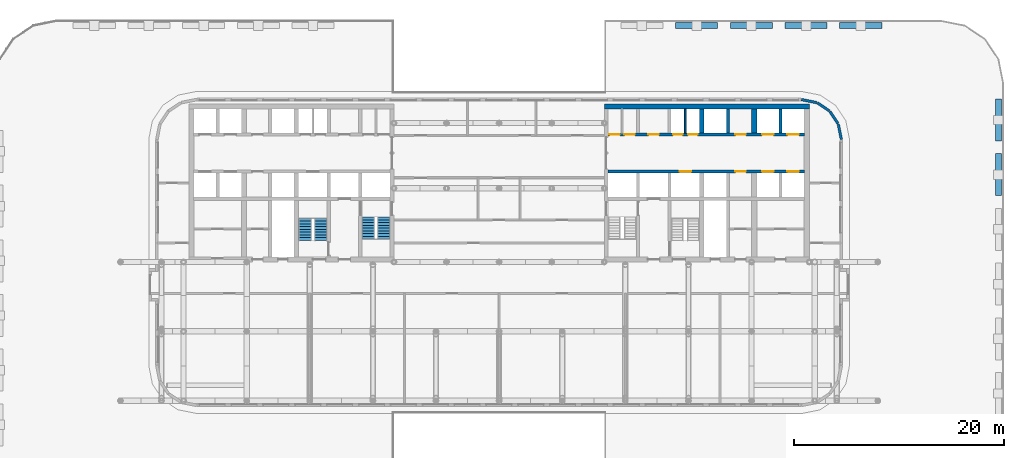
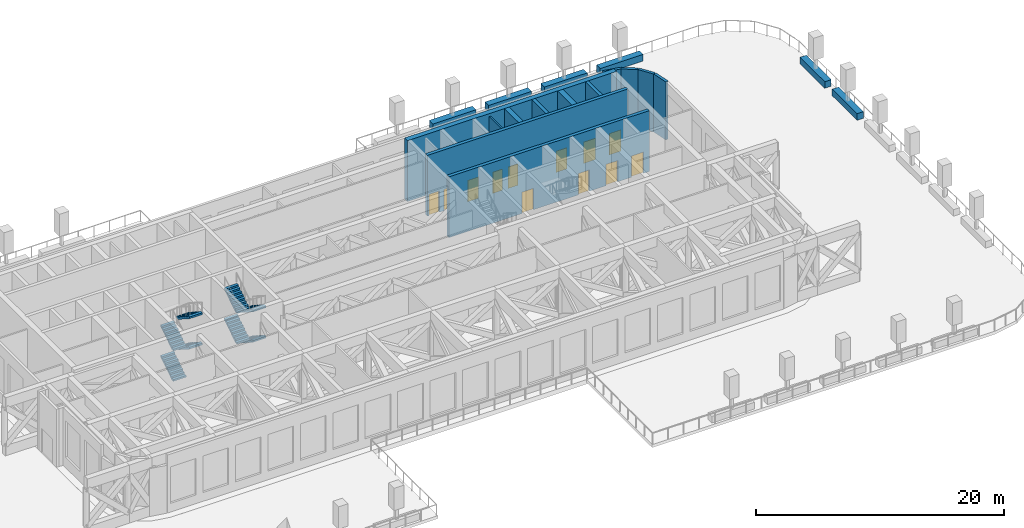
# One storey, part 15 of 20: 18 walls, 12 doors, 8 stair flights, 12 openings, 2 elements without a shape of their own.
"""IFC4 building model written with IfcOpenShell, lengths in metres."""

import ifcopenshell
import ifcopenshell.guid

model = None  # the IFC model being written
_history = None  # IfcOwnerHistory: only IFC2X3 demands one
_inside = {}  # id of a spatial element -> (the spatial element, [elements in it])
_under = {}  # id of a project, library or spatial element -> (it, [spatial elements below it])
_declared = {}  # id of a project -> (the project, [libraries it declares])
_typed = {}  # id of a type object -> (the type object, [elements of that type])
_made_of = {}  # id of a material, layer set ... -> (it, [elements and type objects made of it])


def new_model(schema):
    """Start an empty IFC model of exactly this schema.

    Asked for "IFC4X3", IfcOpenShell would pick the latest addendum, in which some entities
    have other attributes; the version numbers below select the first issue.
    IFC2X3 requires an IfcOwnerHistory on every rooted entity: one is made here for all.
    """
    global model, _history
    if schema == "IFC4X3":
        model = ifcopenshell.file(schema_version=(4, 3, 0, 0))
    else:
        model = ifcopenshell.file(schema=schema)
    _inside.clear()
    _under.clear()
    _declared.clear()
    _typed.clear()
    _made_of.clear()
    _history = None
    if model.schema == "IFC2X3":
        org = make("IfcOrganization", Name="unknown")
        user = make(
            "IfcPersonAndOrganization",
            ThePerson=make("IfcPerson", FamilyName="unknown"),
            TheOrganization=org,
        )
        app = make(
            "IfcApplication",
            ApplicationDeveloper=org,
            Version="unknown",
            ApplicationFullName="unknown",
            ApplicationIdentifier="unknown",
        )
        _history = make(
            "IfcOwnerHistory",
            OwningUser=user,
            OwningApplication=app,
            ChangeAction="ADDED",
            CreationDate=0,
        )
    return model


def make(cls, **values):
    """One entity of the class cls with the attributes given. An attribute that is None is left unset."""
    return model.create_entity(
        cls, **{name: value for name, value in values.items() if value is not None}
    )


def rooted(cls, **values):
    """An entity with a GlobalId (a new one), such as an element, a storey or a relation."""
    return make(cls, GlobalId=ifcopenshell.guid.new(), OwnerHistory=_history, **values)


def si_unit(unit_type, name, prefix=None):
    """IfcSIUnit, for example si_unit("LENGTHUNIT", "METRE", prefix="MILLI")."""
    return make("IfcSIUnit", UnitType=unit_type, Prefix=prefix, Name=name)


def assignment(units):
    """IfcUnitAssignment: the units of a project."""
    return None if units is None else make("IfcUnitAssignment", Units=units)


def point(xyz):
    """IfcCartesianPoint."""
    return None if xyz is None else make("IfcCartesianPoint", Coordinates=xyz)


def direction(xyz):
    """IfcDirection."""
    return None if xyz is None else make("IfcDirection", DirectionRatios=xyz)


def frame(location, z_axis=None, x_axis=None):
    """IfcAxis2Placement3D, a coordinate frame: its origin and axes. An axis left out is left unset."""
    return make(
        "IfcAxis2Placement3D",
        Location=point(location),
        Axis=direction(z_axis),
        RefDirection=direction(x_axis),
    )


def frame_2d(location, x_axis=None):
    """IfcAxis2Placement2D, a coordinate frame in the plane: its origin and x axis."""
    return make(
        "IfcAxis2Placement2D", Location=point(location), RefDirection=direction(x_axis)
    )


def origin():
    """The frame at (0, 0, 0) with its axes left unset."""
    return frame((0.0, 0.0, 0.0))


def place(relative_to, where):
    """IfcLocalPlacement: puts the frame where relative to a parent placement (None: the world)."""
    return make(
        "IfcLocalPlacement", PlacementRelTo=relative_to, RelativePlacement=where
    )


def context(
    kind, dimensions, precision=None, world=None, true_north=None, identifier=None
):
    """IfcGeometricRepresentationContext, for example the 3D "Model" context."""
    return make(
        "IfcGeometricRepresentationContext",
        ContextIdentifier=identifier,
        ContextType=kind,
        CoordinateSpaceDimension=dimensions,
        Precision=precision,
        WorldCoordinateSystem=world,
        TrueNorth=true_north,
    )


def subcontext(parent, identifier, kind, view, scale=None):
    """IfcGeometricRepresentationSubContext, for example "Body" below "Model"."""
    return make(
        "IfcGeometricRepresentationSubContext",
        ContextIdentifier=identifier,
        ContextType=kind,
        ParentContext=parent,
        TargetScale=scale,
        TargetView=view,
    )


def project(units=None, contexts=None):
    """IfcProject with its units and contexts."""
    return rooted(
        "IfcProject",
        Name="project",
        RepresentationContexts=contexts,
        UnitsInContext=assignment(units),
    )


def spatial(cls, under=None, at=None, **own):
    """A site, building, storey or space (cls), placed at a placement, below another one or the project."""
    s = rooted(cls, ObjectPlacement=at, **own)
    if under is not None:
        _under.setdefault(under.id(), (under, []))[1].append(s)
    return s


def polyline(points):
    """IfcPolyline through the points."""
    return make("IfcPolyline", Points=[point(p) for p in points])


def profile(cls, at=None, kind="AREA", **sizes):
    """A parametric profile (cls). Its sizes go by their IFC names, for example OverallWidth=200.0."""
    return make(cls, ProfileType=kind, Position=at, **sizes)


def rectangle(**sizes):
    """IfcRectangleProfileDef."""
    return profile("IfcRectangleProfileDef", **sizes)


def outline(outer, holes=None, kind="AREA"):
    """IfcArbitraryClosedProfileDef: a profile drawn as a closed curve; with holes, ...WithVoids."""
    if holes is None:
        return make("IfcArbitraryClosedProfileDef", ProfileType=kind, OuterCurve=outer)
    return make(
        "IfcArbitraryProfileDefWithVoids",
        ProfileType=kind,
        OuterCurve=outer,
        InnerCurves=holes,
    )


def extrude(swept, where, along, depth):
    """IfcExtrudedAreaSolid: the profile swept, set in the frame where, extruded along a direction by depth."""
    return make(
        "IfcExtrudedAreaSolid",
        SweptArea=swept,
        Position=where,
        ExtrudedDirection=direction(along),
        Depth=depth,
    )


def shape(context_of_items, identifier, shape_type, items):
    """IfcShapeRepresentation: the items that make up one representation, for example the "Body"."""
    return make(
        "IfcShapeRepresentation",
        ContextOfItems=context_of_items,
        RepresentationIdentifier=identifier,
        RepresentationType=shape_type,
        Items=items,
    )


def material(Name=None, Category=None):
    """IfcMaterial."""
    return make("IfcMaterial", Name=Name, Category=Category)


def layer(
    of_material, thickness, ventilated=None, Name=None, Category=None, Priority=None
):
    """IfcMaterialLayer: one layer of a wall or slab, of a material (None: an air gap)."""
    return make(
        "IfcMaterialLayer",
        Material=of_material,
        LayerThickness=thickness,
        IsVentilated=ventilated,
        Name=Name,
        Category=Category,
        Priority=Priority,
    )


def layer_set(layers, Name=None):
    """IfcMaterialLayerSet."""
    return make("IfcMaterialLayerSet", MaterialLayers=layers, LayerSetName=Name)


def made_of(thing, what):
    """Note that an element or type object is made of a material, layer set ...; save() writes the relation."""
    if what is not None:
        _made_of.setdefault(what.id(), (what, []))[1].append(thing)
    return thing


def type_object(cls, material=None, **own):
    """A type object (cls), such as IfcWallType, which elements share."""
    return made_of(rooted(cls, **own), material)


def element(
    cls,
    number,
    at=None,
    inside=None,
    cuts=None,
    type_object=None,
    material=None,
    context=None,
    identifier="Body",
    shape_type=None,
    held_by="IfcProductDefinitionShape",
    body=None,
    shapes=None,
    **own,
):
    """One element of the class cls, such as IfcWall. Its Tag is "e" and its number.

    at: its placement. inside: the storey or other place that contains it. cuts: it is an
    opening in that element (IfcRelVoidsElement). A single representation is given by context,
    identifier, shape_type and body (its items); several are given by shapes. held_by: the class
    of the entity that holds the representations. save() writes the other relations.
    """
    e = rooted(cls, Tag="e%d" % number, ObjectPlacement=at, **own)
    if body is not None:
        shapes = [shape(context, identifier, shape_type, body)]
    if shapes is not None:
        e.Representation = make(held_by, Representations=shapes)
    if inside is not None:
        _inside.setdefault(inside.id(), (inside, []))[1].append(e)
    if cuts is not None:
        rooted(
            "IfcRelVoidsElement", RelatingBuildingElement=cuts, RelatedOpeningElement=e
        )
    if type_object is not None:
        _typed.setdefault(type_object.id(), (type_object, []))[1].append(e)
    return made_of(e, material)


def fill(opening, filler):
    """IfcRelFillsElement: the door or window that sits in an opening."""
    return rooted(
        "IfcRelFillsElement",
        RelatingOpeningElement=opening,
        RelatedBuildingElement=filler,
    )


def aggregate(whole, parts):
    """IfcRelAggregates: a whole, such as a stair, and the parts it consists of."""
    return rooted("IfcRelAggregates", RelatingObject=whole, RelatedObjects=parts)


def save(model, path):
    """Write the relations noted so far, then the file.

    IfcRelAggregates (storeys below a building ...), IfcRelContainedInSpatialStructure (elements
    in a storey), IfcRelDefinesByType, IfcRelAssociatesMaterial and IfcRelDeclares: one each for
    every whole, place, type object, material and project.
    """
    for whole, parts in _under.values():
        aggregate(whole, parts)
    for where, things in _inside.values():
        rooted(
            "IfcRelContainedInSpatialStructure",
            RelatedElements=things,
            RelatingStructure=where,
        )
    for kind, things in _typed.values():
        rooted("IfcRelDefinesByType", RelatedObjects=things, RelatingType=kind)
    for what, things in _made_of.values():
        rooted("IfcRelAssociatesMaterial", RelatedObjects=things, RelatingMaterial=what)
    for by, libraries in _declared.values():
        rooted("IfcRelDeclares", RelatingContext=by, RelatedDefinitions=libraries)
    model.write(path)


model = new_model("IFC4")

# Units and contexts
model_context = context("Model", 3, precision=1e-05, world=origin(), true_north=direction((0.0, 1.0)))
body_context = subcontext(model_context, "Body", "Model", "MODEL_VIEW")
ifc_project = project(units=[si_unit("LENGTHUNIT", "METRE"), si_unit("AREAUNIT", "SQUARE_METRE"), si_unit("VOLUMEUNIT", "CUBIC_METRE"), si_unit("PLANEANGLEUNIT", "RADIAN"), si_unit("MASSUNIT", "GRAM", prefix="KILO")], contexts=[model_context])

# Site, building, storey
site_placement = place(None, origin())
site = spatial("IfcSite", under=ifc_project, at=site_placement, CompositionType="ELEMENT")
building_placement = place(site_placement, origin())
building = spatial("IfcBuilding", under=site, at=building_placement, Name="Torana Hotel and Residences", CompositionType="ELEMENT")
storey_placement = place(building_placement, frame((0.0, 0.0, 18.0)))
storey = spatial("IfcBuildingStorey", under=building, at=storey_placement, Name="L03", CompositionType="ELEMENT", Elevation=18.0)

# Wall, openings, doors
ifc_material_1 = material(Name="Concrete C80/95", Category="concrete")
ifc_layer_1 = layer(ifc_material_1, 0.300048828125)
ifc_layer_set_1 = layer_set([ifc_layer_1], Name="CORE WALL 300 C80/95")
wall_type_1 = type_object("IfcWallType", Name="CORE WALL 300 C80/95", PredefinedType="SHEAR", material=ifc_layer_set_1)
wall_1_placement = place(storey_placement, frame((10.35009765625, -2.89990234375, 0.0), z_axis=(0.0, 0.0, 1.0), x_axis=(1.0, 0.0, 0.0)))
wall_1 = element("IfcWall", 1, at=wall_1_placement, inside=storey, type_object=wall_type_1, Name="Core wall E row-N", PredefinedType="SHEAR", context=body_context, shape_type="SweptSolid", body=[
    extrude(rectangle(XDim=18.699951171875, YDim=0.300048828125, at=frame_2d((9.35009765625, 0.0))), origin(), (0.0, 0.0, 1.0), 6.0),
])
opening_1_placement = place(wall_1_placement, frame((14.64990234375, 0.0, 0.0)))
opening_1 = element("IfcOpeningElement", 2, at=opening_1_placement, cuts=wall_1, Name="Opening LD", PredefinedType="OPENING", context=body_context, shape_type="SweptSolid", body=[
    extrude(rectangle(XDim=1.10009765625, YDim=2.10009765625, at=frame_2d((0.550048828125, 1.050048828125))), frame((0.0, 0.159912109375, 0.0), z_axis=(0.0, -1.0, 0.0), x_axis=(1.0, 0.0, 0.0)), (0.0, 0.0, 1.0), 0.320068359375),
])
opening_2_placement = place(wall_1_placement, frame((17.050048828125, 0.0, 0.0)))
opening_2 = element("IfcOpeningElement", 3, at=opening_2_placement, cuts=wall_1, Name="Opening LD", PredefinedType="OPENING", context=body_context, shape_type="SweptSolid", body=[
    extrude(rectangle(XDim=1.10009765625, YDim=2.10009765625, at=frame_2d((0.550048828125, 1.050048828125))), frame((0.0, 0.159912109375, 0.0), z_axis=(0.0, -1.0, 0.0), x_axis=(1.0, 0.0, 0.0)), (0.0, 0.0, 1.0), 0.320068359375),
])
opening_3_placement = place(wall_1_placement, frame((6.1875, 0.0, 0.0)))
opening_3 = element("IfcOpeningElement", 4, at=opening_3_placement, cuts=wall_1, Name="Opening L03-26", PredefinedType="OPENING", context=body_context, shape_type="SweptSolid", body=[
    extrude(rectangle(XDim=0.89990234375, YDim=2.10009765625, at=frame_2d((0.449951171875, 1.050048828125))), frame((0.0, 0.159912109375, 0.0), z_axis=(0.0, -1.0, 0.0), x_axis=(1.0, 0.0, 0.0)), (0.0, 0.0, 1.0), 0.320068359375),
])
opening_4_placement = place(wall_1_placement, frame((7.612548828125, 0.0, 0.0)))
opening_4 = element("IfcOpeningElement", 5, at=opening_4_placement, cuts=wall_1, Name="Opening L03-27", PredefinedType="OPENING", context=body_context, shape_type="SweptSolid", body=[
    extrude(rectangle(XDim=0.89990234375, YDim=2.10009765625, at=frame_2d((0.449951171875, 1.050048828125))), frame((0.0, 0.159912109375, 0.0), z_axis=(0.0, -1.0, 0.0), x_axis=(1.0, 0.0, 0.0)), (0.0, 0.0, 1.0), 0.320068359375),
])
opening_5_placement = place(wall_1_placement, frame((0.137451171875, 0.0, 0.0)))
opening_5 = element("IfcOpeningElement", 6, at=opening_5_placement, cuts=wall_1, Name="Opening L03-28", PredefinedType="OPENING", context=body_context, shape_type="SweptSolid", body=[
    extrude(rectangle(XDim=1.0, YDim=2.10009765625, at=frame_2d((0.5, 1.050048828125))), frame((0.0, 0.159912109375, 0.0), z_axis=(0.0, -1.0, 0.0), x_axis=(1.0, 0.0, 0.0)), (0.0, 0.0, 1.0), 0.320068359375),
])
opening_6_placement = place(wall_1_placement, frame((1.5625, 0.0, 0.0)))
opening_6 = element("IfcOpeningElement", 7, at=opening_6_placement, cuts=wall_1, Name="Opening L03-29", PredefinedType="OPENING", context=body_context, shape_type="SweptSolid", body=[
    extrude(rectangle(XDim=1.0, YDim=2.10009765625, at=frame_2d((0.5, 1.050048828125))), frame((0.0, 0.159912109375, 0.0), z_axis=(0.0, -1.0, 0.0), x_axis=(1.0, 0.0, 0.0)), (0.0, 0.0, 1.0), 0.320068359375),
])
opening_7_placement = place(wall_1_placement, frame((3.85009765625, 0.0, 0.0)))
opening_7 = element("IfcOpeningElement", 8, at=opening_7_placement, cuts=wall_1, Name="Opening L03-30", PredefinedType="OPENING", context=body_context, shape_type="SweptSolid", body=[
    extrude(rectangle(XDim=1.0, YDim=2.10009765625, at=frame_2d((0.5, 1.050048828125))), frame((0.0, 0.159912109375, 0.0), z_axis=(0.0, -1.0, 0.0), x_axis=(1.0, 0.0, 0.0)), (0.0, 0.0, 1.0), 0.320068359375),
])
opening_8_placement = place(wall_1_placement, frame((12.10009765625, 0.0, 0.0)))
opening_8 = element("IfcOpeningElement", 9, at=opening_8_placement, cuts=wall_1, Name="Opening L03-31", PredefinedType="OPENING", context=body_context, shape_type="SweptSolid", body=[
    extrude(rectangle(XDim=1.0, YDim=2.10009765625, at=frame_2d((0.5, 1.050048828125))), frame((0.0, 0.159912109375, 0.0), z_axis=(0.0, -1.0, 0.0), x_axis=(1.0, 0.0, 0.0)), (0.0, 0.0, 1.0), 0.320068359375),
])
ifc_material_2 = material(Name="Steel S235", Category="steel")
door_type_1 = type_object("IfcDoorType", Name="CORE ROOM FIRE DOOR D14 1000x2100", OperationType="SINGLE_SWING_LEFT", PredefinedType="DOOR", material=ifc_material_2)
door_1_placement = place(opening_5_placement, origin())
door_1 = element("IfcDoor", 10, at=door_1_placement, inside=storey, type_object=door_type_1, Name="N0A door L03", OperationType="SINGLE_SWING_RIGHT", OverallHeight=2.10009765625, OverallWidth=1.0, PredefinedType="DOOR", context=body_context, shape_type="SweptSolid", body=[
    extrude(rectangle(XDim=1.0, YDim=2.10009765625, at=frame_2d((0.5, 1.050048828125))), frame((0.0, 0.02490234375, 0.0), z_axis=(0.0, -1.0, 0.0), x_axis=(1.0, 0.0, 0.0)), (0.0, 0.0, 1.0), 0.050048828125),
])
fill(opening_5, door_1)
door_2_placement = place(opening_6_placement, origin())
door_2 = element("IfcDoor", 11, at=door_2_placement, inside=storey, type_object=door_type_1, Name="N0B door L03", OperationType="SINGLE_SWING_RIGHT", OverallHeight=2.10009765625, OverallWidth=1.0, PredefinedType="DOOR", context=body_context, shape_type="SweptSolid", body=[
    extrude(rectangle(XDim=1.0, YDim=2.10009765625, at=frame_2d((0.5, 1.050048828125))), frame((0.0, 0.02490234375, 0.0), z_axis=(0.0, -1.0, 0.0), x_axis=(1.0, 0.0, 0.0)), (0.0, 0.0, 1.0), 0.050048828125),
])
fill(opening_6, door_2)
door_3_placement = place(opening_7_placement, origin())
door_3 = element("IfcDoor", 12, at=door_3_placement, inside=storey, type_object=door_type_1, Name="N1 door L03", OperationType="SINGLE_SWING_RIGHT", OverallHeight=2.10009765625, OverallWidth=1.0, PredefinedType="DOOR", context=body_context, shape_type="SweptSolid", body=[
    extrude(rectangle(XDim=1.0, YDim=2.10009765625, at=frame_2d((0.5, 1.050048828125))), frame((0.0, 0.02490234375, 0.0), z_axis=(0.0, -1.0, 0.0), x_axis=(1.0, 0.0, 0.0)), (0.0, 0.0, 1.0), 0.050048828125),
])
fill(opening_7, door_3)
door_4_placement = place(opening_8_placement, origin())
door_4 = element("IfcDoor", 13, at=door_4_placement, inside=storey, type_object=door_type_1, Name="Free-M3 door L03", OperationType="SINGLE_SWING_RIGHT", OverallHeight=2.10009765625, OverallWidth=1.0, PredefinedType="DOOR", context=body_context, shape_type="SweptSolid", body=[
    extrude(rectangle(XDim=1.0, YDim=2.10009765625, at=frame_2d((0.5, 1.050048828125))), frame((0.0, 0.02490234375, 0.0), z_axis=(0.0, -1.0, 0.0), x_axis=(1.0, 0.0, 0.0)), (0.0, 0.0, 1.0), 0.050048828125),
])
fill(opening_8, door_4)
ifc_material_3 = material(Name="Stainless steel 316", Category="steel")
door_type_2 = type_object("IfcDoorType", Name="LIFT LANDING DOOR LD 1100x2100", OperationType="DOUBLE_DOOR_SLIDING", PredefinedType="USERDEFINED", material=ifc_material_3)
door_5_placement = place(opening_1_placement, origin())
door_5 = element("IfcDoor", 14, at=door_5_placement, inside=storey, type_object=door_type_2, Name="Lift landing door L5 L03", ObjectType="LIFT LANDING DOOR", OperationType="DOUBLE_DOOR_SLIDING", OverallHeight=2.10009765625, OverallWidth=1.10009765625, PredefinedType="USERDEFINED", context=body_context, shape_type="SweptSolid", body=[
    extrude(rectangle(XDim=1.10009765625, YDim=2.10009765625, at=frame_2d((0.550048828125, 1.050048828125))), frame((0.0, 0.02490234375, 0.0), z_axis=(0.0, -1.0, 0.0), x_axis=(1.0, 0.0, 0.0)), (0.0, 0.0, 1.0), 0.050048828125),
])
fill(opening_1, door_5)
door_6_placement = place(opening_2_placement, origin())
door_6 = element("IfcDoor", 15, at=door_6_placement, inside=storey, type_object=door_type_2, Name="Lift landing door L6 L03", ObjectType="LIFT LANDING DOOR", OperationType="DOUBLE_DOOR_SLIDING", OverallHeight=2.10009765625, OverallWidth=1.10009765625, PredefinedType="USERDEFINED", context=body_context, shape_type="SweptSolid", body=[
    extrude(rectangle(XDim=1.10009765625, YDim=2.10009765625, at=frame_2d((0.550048828125, 1.050048828125))), frame((0.0, 0.02490234375, 0.0), z_axis=(0.0, -1.0, 0.0), x_axis=(1.0, 0.0, 0.0)), (0.0, 0.0, 1.0), 0.050048828125),
])
fill(opening_2, door_6)
ifc_material_4 = material(Name="Steel S235", Category="steel")
door_type_3 = type_object("IfcDoorType", Name="RISER ACCESS DOOR D5 900x2100", OperationType="SINGLE_SWING_LEFT", PredefinedType="DOOR", material=ifc_material_4)
door_7_placement = place(opening_3_placement, origin())
door_7 = element("IfcDoor", 16, at=door_7_placement, inside=storey, type_object=door_type_3, Name="N2A door L03", OperationType="SINGLE_SWING_RIGHT", OverallHeight=2.10009765625, OverallWidth=0.89990234375, PredefinedType="DOOR", context=body_context, shape_type="SweptSolid", body=[
    extrude(rectangle(XDim=0.89990234375, YDim=2.10009765625, at=frame_2d((0.449951171875, 1.050048828125))), frame((0.0, 0.02490234375, 0.0), z_axis=(0.0, -1.0, 0.0), x_axis=(1.0, 0.0, 0.0)), (0.0, 0.0, 1.0), 0.050048828125),
])
fill(opening_3, door_7)
door_8_placement = place(opening_4_placement, origin())
door_8 = element("IfcDoor", 17, at=door_8_placement, inside=storey, type_object=door_type_3, Name="N2B door L03", OperationType="SINGLE_SWING_RIGHT", OverallHeight=2.10009765625, OverallWidth=0.89990234375, PredefinedType="DOOR", context=body_context, shape_type="SweptSolid", body=[
    extrude(rectangle(XDim=0.89990234375, YDim=2.10009765625, at=frame_2d((0.449951171875, 1.050048828125))), frame((0.0, 0.02490234375, 0.0), z_axis=(0.0, -1.0, 0.0), x_axis=(1.0, 0.0, 0.0)), (0.0, 0.0, 1.0), 0.050048828125),
])
fill(opening_4, door_8)

wall_2_placement = place(storey_placement, frame((10.35009765625, -6.39990234375, 0.0), z_axis=(0.0, 0.0, 1.0), x_axis=(1.0, 0.0, 0.0)))
wall_2 = element("IfcWall", 18, at=wall_2_placement, inside=storey, type_object=wall_type_1, Name="Core wall E row-S", PredefinedType="SHEAR", context=body_context, shape_type="SweptSolid", body=[
    extrude(rectangle(XDim=18.699951171875, YDim=0.300048828125, at=frame_2d((9.35009765625, 0.0))), origin(), (0.0, 0.0, 1.0), 6.0),
])
opening_9_placement = place(wall_2_placement, frame((14.64990234375, 0.0, 0.0)))
opening_9 = element("IfcOpeningElement", 19, at=opening_9_placement, cuts=wall_2, Name="Opening LD", PredefinedType="OPENING", context=body_context, shape_type="SweptSolid", body=[
    extrude(rectangle(XDim=1.10009765625, YDim=2.10009765625, at=frame_2d((0.550048828125, 1.050048828125))), frame((0.0, 0.159912109375, 0.0), z_axis=(0.0, -1.0, 0.0), x_axis=(1.0, 0.0, 0.0)), (0.0, 0.0, 1.0), 0.320068359375),
])
opening_10_placement = place(wall_2_placement, frame((17.050048828125, 0.0, 0.0)))
opening_10 = element("IfcOpeningElement", 20, at=opening_10_placement, cuts=wall_2, Name="Opening LD", PredefinedType="OPENING", context=body_context, shape_type="SweptSolid", body=[
    extrude(rectangle(XDim=1.10009765625, YDim=2.10009765625, at=frame_2d((0.550048828125, 1.050048828125))), frame((0.0, 0.159912109375, 0.0), z_axis=(0.0, -1.0, 0.0), x_axis=(1.0, 0.0, 0.0)), (0.0, 0.0, 1.0), 0.320068359375),
])
opening_11_placement = place(wall_2_placement, frame((6.800048828125, 0.0, 0.0)))
opening_11 = element("IfcOpeningElement", 21, at=opening_11_placement, cuts=wall_2, Name="Opening LD", PredefinedType="OPENING", context=body_context, shape_type="SweptSolid", body=[
    extrude(rectangle(XDim=1.10009765625, YDim=2.10009765625, at=frame_2d((0.550048828125, 1.050048828125))), frame((0.0, 0.159912109375, 0.0), z_axis=(0.0, -1.0, 0.0), x_axis=(1.0, 0.0, 0.0)), (0.0, 0.0, 1.0), 0.320068359375),
])
opening_12_placement = place(wall_2_placement, frame((12.10009765625, 0.0, 0.0)))
opening_12 = element("IfcOpeningElement", 22, at=opening_12_placement, cuts=wall_2, Name="Opening L03-32", PredefinedType="OPENING", context=body_context, shape_type="SweptSolid", body=[
    extrude(rectangle(XDim=1.0, YDim=2.10009765625, at=frame_2d((0.5, 1.050048828125))), frame((0.0, 0.159912109375, 0.0), z_axis=(0.0, -1.0, 0.0), x_axis=(1.0, 0.0, 0.0)), (0.0, 0.0, 1.0), 0.320068359375),
])
door_9_placement = place(opening_12_placement, frame((0.5, 0.0, 0.0), z_axis=(0.0, 0.0, 1.0), x_axis=(-1.0, 0.0, 0.0)))
door_9 = element("IfcDoor", 23, at=door_9_placement, inside=storey, type_object=door_type_1, Name="Free-M4 door L03", OperationType="SINGLE_SWING_LEFT", OverallHeight=2.10009765625, OverallWidth=1.0, PredefinedType="DOOR", context=body_context, shape_type="SweptSolid", body=[
    extrude(rectangle(XDim=1.0, YDim=2.10009765625, at=frame_2d((0.0, 1.050048828125))), frame((0.0, -0.02490234375, 0.0), z_axis=(0.0, 1.0, 0.0), x_axis=(-1.0, 0.0, 0.0)), (0.0, 0.0, 1.0), 0.050048828125),
])
fill(opening_12, door_9)
door_10_placement = place(opening_9_placement, origin())
door_10 = element("IfcDoor", 24, at=door_10_placement, inside=storey, type_object=door_type_2, Name="Lift landing door L7 L03", ObjectType="LIFT LANDING DOOR", OperationType="DOUBLE_DOOR_SLIDING", OverallHeight=2.10009765625, OverallWidth=1.10009765625, PredefinedType="USERDEFINED", context=body_context, shape_type="SweptSolid", body=[
    extrude(rectangle(XDim=1.10009765625, YDim=2.10009765625, at=frame_2d((0.550048828125, 1.050048828125))), frame((0.0, 0.02490234375, 0.0), z_axis=(0.0, -1.0, 0.0), x_axis=(1.0, 0.0, 0.0)), (0.0, 0.0, 1.0), 0.050048828125),
])
fill(opening_9, door_10)
door_11_placement = place(opening_10_placement, origin())
door_11 = element("IfcDoor", 25, at=door_11_placement, inside=storey, type_object=door_type_2, Name="Lift landing door L8 L03", ObjectType="LIFT LANDING DOOR", OperationType="DOUBLE_DOOR_SLIDING", OverallHeight=2.10009765625, OverallWidth=1.10009765625, PredefinedType="USERDEFINED", context=body_context, shape_type="SweptSolid", body=[
    extrude(rectangle(XDim=1.10009765625, YDim=2.10009765625, at=frame_2d((0.550048828125, 1.050048828125))), frame((0.0, 0.02490234375, 0.0), z_axis=(0.0, -1.0, 0.0), x_axis=(1.0, 0.0, 0.0)), (0.0, 0.0, 1.0), 0.050048828125),
])
fill(opening_10, door_11)
door_12_placement = place(opening_11_placement, origin())
door_12 = element("IfcDoor", 26, at=door_12_placement, inside=storey, type_object=door_type_2, Name="Lift landing door SV2 L03", ObjectType="LIFT LANDING DOOR", OperationType="DOUBLE_DOOR_SLIDING", OverallHeight=2.10009765625, OverallWidth=1.10009765625, PredefinedType="USERDEFINED", context=body_context, shape_type="SweptSolid", body=[
    extrude(rectangle(XDim=1.10009765625, YDim=2.10009765625, at=frame_2d((0.550048828125, 1.050048828125))), frame((0.0, 0.02490234375, 0.0), z_axis=(0.0, -1.0, 0.0), x_axis=(1.0, 0.0, 0.0)), (0.0, 0.0, 1.0), 0.050048828125),
])
fill(opening_11, door_12)

# Walls
for number, where, z_axis, x_axis, name in (
    (27, (21.75, -2.75, 0.0), (0.0, 0.0, 1.0), (0.0, 1.0, 0.0), "Core wall E mm-N"),
    (28, (26.75, -2.75, 0.0), (0.0, 0.0, 1.0), (0.0, 1.0, 0.0), "Core wall E ll-N"),
):
    element("IfcWall", number, at=place(storey_placement, frame(where, z_axis=z_axis, x_axis=x_axis)), inside=storey, type_object=wall_type_1, Name=name, PredefinedType="SHEAR", context=body_context, shape_type="SweptSolid", body=[
        extrude(rectangle(XDim=2.300048828125, YDim=0.300048828125, at=frame_2d((1.14990234375, 0.0))), origin(), (0.0, 0.0, 1.0), 6.0),
    ])
ifc_material_5 = material(Name="Concrete C80/95", Category="concrete")
ifc_layer_2 = layer(ifc_material_5, 0.449951171875)
ifc_layer_set_2 = layer_set([ifc_layer_2], Name="CORE WALL 450 C80/95")
wall_type_2 = type_object("IfcWallType", Name="CORE WALL 450 C80/95", PredefinedType="SHEAR", material=ifc_layer_set_2)
wall_3_placement = place(storey_placement, frame((10.0, -0.22509765625, 0.0), z_axis=(0.0, 0.0, 1.0), x_axis=(1.0, 0.0, 0.0)))
element("IfcWall", 29, at=wall_3_placement, inside=storey, type_object=wall_type_2, Name="Core wall E rear", PredefinedType="SHEAR", context=body_context, shape_type="SweptSolid", body=[
    extrude(rectangle(XDim=19.5, YDim=0.449951171875, at=frame_2d((9.75, 0.0))), origin(), (0.0, 0.0, 1.0), 6.0),
])
wall_4_placement = place(storey_placement, frame((19.27490234375, -2.75, 0.0), z_axis=(0.0, 0.0, 1.0), x_axis=(0.0, 1.0, 0.0)))
element("IfcWall", 30, at=wall_4_placement, inside=storey, type_object=wall_type_2, Name="Core wall E hm-N", PredefinedType="SHEAR", context=body_context, shape_type="SweptSolid", body=[
    extrude(rectangle(XDim=2.300048828125, YDim=0.449951171875, at=frame_2d((1.14990234375, 0.0))), origin(), (0.0, 0.0, 1.0), 6.0),
])
ifc_material_6 = material(Name="Concrete C80/95", Category="concrete")
ifc_layer_3 = layer(ifc_material_6, 0.5)
ifc_layer_set_3 = layer_set([ifc_layer_3], Name="CORE WALL 500 C80/95")
wall_type_3 = type_object("IfcWallType", Name="CORE WALL 500 C80/95", PredefinedType="SHEAR", material=ifc_layer_set_3)
wall_5_placement = place(storey_placement, frame((24.25, -2.75, 0.0), z_axis=(0.0, 0.0, 1.0), x_axis=(0.0, 1.0, 0.0)))
element("IfcWall", 31, at=wall_5_placement, inside=storey, type_object=wall_type_3, Name="Core wall E ml-N", PredefinedType="SHEAR", context=body_context, shape_type="SweptSolid", body=[
    extrude(rectangle(XDim=2.300048828125, YDim=0.5, at=frame_2d((1.14990234375, 0.0))), origin(), (0.0, 0.0, 1.0), 6.0),
])
ifc_material_7 = material(Name="Aluminium louvre wall", Category="aluminium")
ifc_layer_4 = layer(ifc_material_7, 0.25)
ifc_layer_set_4 = layer_set([ifc_layer_4], Name="EW3 LOUVRE WALL 250")
wall_type_4 = type_object("IfcWallType", Name="EW3 LOUVRE WALL 250", PredefinedType="SOLIDWALL", material=ifc_layer_set_4)
wall_6_placement = place(storey_placement, frame((32.53662109375, -3.36279296875, 0.0), z_axis=(0.0, 0.0, 1.0), x_axis=(-0.195014837095, 0.980800292268, 0.0)))
element("IfcWall", 32, at=wall_6_placement, inside=storey, type_object=wall_type_4, Name="Louvre wall L03 e0.0", PredefinedType="SOLIDWALL", context=body_context, shape_type="SweptSolid", body=[
    extrude(rectangle(XDim=1.4921875, YDim=0.25, at=frame_2d((0.74609375, 0.0))), origin(), (0.0, 0.0, 1.0), 5.719970703125),
])
for number, where, z_axis, x_axis, name in (
    (33, (32.226806640625, -1.85400390625, 0.0), (0.0, 0.0, 1.0), (-0.555543083115, 0.831487752648, 0.0), "Louvre wall L03 e0.1"),
    (34, (31.41259765625, -0.65283203125, 0.0), (0.0, 0.0, 1.0), (-0.831487752648, 0.555543083115, 0.0), "Louvre wall L03 e0.2"),
):
    element("IfcWall", number, at=place(storey_placement, frame(where, z_axis=z_axis, x_axis=x_axis)), inside=storey, type_object=wall_type_4, Name=name, PredefinedType="SOLIDWALL", context=body_context, shape_type="SweptSolid", body=[
        extrude(rectangle(XDim=1.4033203125, YDim=0.25, at=frame_2d((0.70166015625, 0.0))), origin(), (0.0, 0.0, 1.0), 5.719970703125),
    ])
wall_7_placement = place(storey_placement, frame((30.20068359375, 0.1455078125, 0.0), z_axis=(0.0, 0.0, 1.0), x_axis=(-0.980800292268, 0.195014837095, 0.0)))
element("IfcWall", 35, at=wall_7_placement, inside=storey, type_object=wall_type_4, Name="Louvre wall L03 e0.3", PredefinedType="SOLIDWALL", context=body_context, shape_type="SweptSolid", body=[
    extrude(rectangle(XDim=1.4921875, YDim=0.25, at=frame_2d((0.74609375, 0.0))), origin(), (0.0, 0.0, 1.0), 5.719970703125),
])
ifc_material_8 = material(Name="Gypsum plaster")
ifc_layer_5 = layer(ifc_material_8, 0.014892578125, Name="Plaster", Category="finish")
ifc_material_9 = material(Name="Concrete blockwork", Category="masonry")
ifc_layer_6 = layer(ifc_material_9, 0.1201171875, Name="Blockwork", Category="structure")
ifc_layer_7 = layer(ifc_material_8, 0.014892578125, Name="Plaster", Category="finish")
ifc_layer_set_5 = layer_set([ifc_layer_5, ifc_layer_6, ifc_layer_7], Name="FIRE PARTITION 150 BLOCKWORK")
wall_type_5 = type_object("IfcWallType", Name="FIRE PARTITION 150 BLOCKWORK", PredefinedType="PARTITIONING", material=ifc_layer_set_5)
wall_8_placement = place(storey_placement, frame((17.699951171875, -2.75, 0.0), z_axis=(0.0, 0.0, 1.0), x_axis=(0.0, 1.0, 0.0)))
element("IfcWall", 36, at=wall_8_placement, inside=storey, type_object=wall_type_5, Name="Core partition L03", PredefinedType="PARTITIONING", context=body_context, shape_type="SweptSolid", body=[
    extrude(rectangle(XDim=2.300048828125, YDim=0.14990234375, at=frame_2d((1.14990234375, 0.0))), origin(), (0.0, 0.0, 1.0), 5.699951171875),
])
ifc_material_10 = material(Name="Concrete C40/50 precast", Category="concrete")
ifc_layer_8 = layer(ifc_material_10, 0.10009765625, Name="Planter shell", Category="structure")
ifc_material_11 = material(Name="Root resistant membrane")
ifc_layer_9 = layer(ifc_material_11, 0.00390625, Name="Waterproofing membrane", Category="membrane")
ifc_material_12 = material(Name="Drainage board with filter fleece")
ifc_layer_10 = layer(ifc_material_12, 0.02001953125, Name="Drainage board", Category="drainage")
ifc_material_13 = material(Name="Growing medium")
ifc_layer_11 = layer(ifc_material_13, 0.47607421875, Name="Planting substrate", Category="soil")
ifc_layer_set_6 = layer_set([ifc_layer_8, ifc_layer_9, ifc_layer_10, ifc_layer_11], Name="PL1 BALCONY PLANTER 600")
wall_type_6 = type_object("IfcWallType", Name="PL1 BALCONY PLANTER 600", PredefinedType="USERDEFINED", material=ifc_layer_set_6)
for number, where, z_axis, x_axis, name in (
    (37, (16.780029296875, 7.469970703125, 0.0), (0.0, 0.0, 1.0), (1.0, 0.0, 0.0), "Planter L03 2.2"),
    (38, (21.97998046875, 7.469970703125, 0.0), (0.0, 0.0, 1.0), (1.0, 0.0, 0.0), "Planter L03 2.3"),
    (39, (27.179931640625, 7.469970703125, 0.0), (0.0, 0.0, 1.0), (1.0, 0.0, 0.0), "Planter L03 2.4"),
    (40, (32.3798828125, 7.469970703125, 0.0), (0.0, 0.0, 1.0), (1.0, 0.0, 0.0), "Planter L03 2.5"),
    (41, (47.469970703125, 0.4921875, 0.0), (0.0, 0.0, 1.0), (0.0, -1.0, 0.0), "Planter L03 2.6"),
    (42, (47.469970703125, -4.7080078125, 0.0), (0.0, 0.0, 1.0), (0.0, -1.0, 0.0), "Planter L03 2.7"),
):
    element("IfcWall", number, at=place(storey_placement, frame(where, z_axis=z_axis, x_axis=x_axis)), inside=storey, type_object=wall_type_6, Name=name, ObjectType="PLANTER", PredefinedType="USERDEFINED", context=body_context, shape_type="SweptSolid", body=[
        extrude(rectangle(XDim=4.0, YDim=0.60009765625, at=frame_2d((2.0, 0.0))), origin(), (0.0, 0.0, 1.0), 0.64990234375),
    ])

# Stair, stair flights
ifc_material_14 = material(Name="Concrete C40/50 precast", Category="concrete")
stair_type_1 = type_object("IfcStairType", Name="STAIR ST1 HALF TURN 1200", PredefinedType="HALF_TURN_STAIR", material=ifc_material_14)
stair_1_placement = place(storey_placement, origin())
stair_1 = element("IfcStair", 43, at=stair_1_placement, inside=storey, type_object=stair_type_1, Name="Stair ST1 L03", PredefinedType="HALF_TURN_STAIR")
ifc_material_15 = material(Name="Concrete C40/50 precast", Category="concrete")
stair_flight_type = type_object("IfcStairFlightType", Name="STAIR FLIGHT 1200 PRECAST", PredefinedType="STRAIGHT", material=ifc_material_15)
stair_flight_1_placement = place(storey_placement, frame((-10.949951171875, -10.75, 0.0), z_axis=(0.0, 0.0, 1.0), x_axis=(0.0, -1.0, 0.0)))
stair_flight_1 = element("IfcStairFlight", 44, at=stair_flight_1_placement, type_object=stair_flight_type, Name="ST1 flight 1", NumberOfRisers=9, NumberOfTreads=8, PredefinedType="STRAIGHT", RiserHeight=0.166666667, TreadLength=0.26, context=body_context, shape_type="SweptSolid", body=[
    extrude(outline(polyline([(0.0, 0.0), (0.0, 0.166748046875), (0.260009765625, 0.166748046875), (0.260009765625, 0.333251953125), (0.52001953125, 0.333251953125), (0.52001953125, 0.5), (0.780029296875, 0.5), (0.780029296875, 0.666748046875), (1.0400390625, 0.666748046875), (1.0400390625, 0.833251953125), (1.300048828125, 0.833251953125), (1.300048828125, 1.0), (1.56005859375, 1.0), (1.56005859375, 1.166748046875), (1.820068359375, 1.166748046875), (1.820068359375, 1.333251953125), (2.080078125, 1.333251953125), (2.080078125, 1.5), (2.080078125, 1.1552734375), (0.27783203125, 0.0), (0.0, 0.0)])), frame((0.0, 0.60009765625, 0.0), z_axis=(0.0, -1.0, 0.0), x_axis=(1.0, 0.0, 0.0)), (0.0, 0.0, 1.0), 1.199951171875),
])
stair_flight_2_placement = place(storey_placement, frame((-12.449951171875, -12.830078125, 1.5), z_axis=(0.0, 0.0, 1.0), x_axis=(0.0, 1.0, 0.0)))
stair_flight_2 = element("IfcStairFlight", 45, at=stair_flight_2_placement, type_object=stair_flight_type, Name="ST1 flight 2", NumberOfRisers=9, NumberOfTreads=8, PredefinedType="STRAIGHT", RiserHeight=0.166666667, TreadLength=0.26, context=body_context, shape_type="SweptSolid", body=[
    extrude(outline(polyline([(0.0, 0.0), (0.0, 0.166748046875), (0.260009765625, 0.166748046875), (0.260009765625, 0.333251953125), (0.52001953125, 0.333251953125), (0.52001953125, 0.5), (0.780029296875, 0.5), (0.780029296875, 0.666748046875), (1.0400390625, 0.666748046875), (1.0400390625, 0.833251953125), (1.300048828125, 0.833251953125), (1.300048828125, 1.0), (1.56005859375, 1.0), (1.56005859375, 1.166748046875), (1.820068359375, 1.166748046875), (1.820068359375, 1.333251953125), (2.080078125, 1.333251953125), (2.080078125, 1.5), (2.080078125, 1.1552734375), (0.27783203125, 0.0), (0.0, 0.0)])), frame((0.0, 0.60009765625, 0.0), z_axis=(0.0, -1.0, 0.0), x_axis=(1.0, 0.0, 0.0)), (0.0, 0.0, 1.0), 1.199951171875),
])
stair_flight_3_placement = place(storey_placement, frame((-10.949951171875, -10.75, 3.0), z_axis=(0.0, 0.0, 1.0), x_axis=(0.0, -1.0, 0.0)))
stair_flight_3 = element("IfcStairFlight", 46, at=stair_flight_3_placement, type_object=stair_flight_type, Name="ST1 flight 3", NumberOfRisers=9, NumberOfTreads=8, PredefinedType="STRAIGHT", RiserHeight=0.166666667, TreadLength=0.26, context=body_context, shape_type="SweptSolid", body=[
    extrude(outline(polyline([(0.0, 0.0), (0.0, 0.166748046875), (0.260009765625, 0.166748046875), (0.260009765625, 0.333251953125), (0.52001953125, 0.333251953125), (0.52001953125, 0.5), (0.780029296875, 0.5), (0.780029296875, 0.666748046875), (1.0400390625, 0.666748046875), (1.0400390625, 0.833251953125), (1.300048828125, 0.833251953125), (1.300048828125, 1.0), (1.56005859375, 1.0), (1.56005859375, 1.166748046875), (1.820068359375, 1.166748046875), (1.820068359375, 1.333251953125), (2.080078125, 1.333251953125), (2.080078125, 1.5), (2.080078125, 1.1552734375), (0.27783203125, 0.0), (0.0, 0.0)])), frame((0.0, 0.60009765625, 0.0), z_axis=(0.0, -1.0, 0.0), x_axis=(1.0, 0.0, 0.0)), (0.0, 0.0, 1.0), 1.199951171875),
])
stair_flight_4_placement = place(storey_placement, frame((-12.449951171875, -12.830078125, 4.5), z_axis=(0.0, 0.0, 1.0), x_axis=(0.0, 1.0, 0.0)))
stair_flight_4 = element("IfcStairFlight", 47, at=stair_flight_4_placement, type_object=stair_flight_type, Name="ST1 flight 4", NumberOfRisers=9, NumberOfTreads=8, PredefinedType="STRAIGHT", RiserHeight=0.166666667, TreadLength=0.26, context=body_context, shape_type="SweptSolid", body=[
    extrude(outline(polyline([(0.0, 0.0), (0.0, 0.166748046875), (0.260009765625, 0.166748046875), (0.260009765625, 0.333251953125), (0.52001953125, 0.333251953125), (0.52001953125, 0.5), (0.780029296875, 0.5), (0.780029296875, 0.666748046875), (1.0400390625, 0.666748046875), (1.0400390625, 0.833251953125), (1.300048828125, 0.833251953125), (1.300048828125, 1.0), (1.56005859375, 1.0), (1.56005859375, 1.166748046875), (1.820068359375, 1.166748046875), (1.820068359375, 1.333251953125), (2.080078125, 1.333251953125), (2.080078125, 1.5), (2.080078125, 1.1552734375), (0.27783203125, 0.0), (0.0, 0.0)])), frame((0.0, 0.60009765625, 0.0), z_axis=(0.0, -1.0, 0.0), x_axis=(1.0, 0.0, 0.0)), (0.0, 0.0, 1.0), 1.199951171875),
])
aggregate(stair_1, [stair_flight_1, stair_flight_2, stair_flight_3, stair_flight_4])

ifc_material_16 = material(Name="Concrete C40/50 precast", Category="concrete")
stair_type_2 = type_object("IfcStairType", Name="STAIR ST2 HALF TURN 1200", PredefinedType="HALF_TURN_STAIR", material=ifc_material_16)
stair_2_placement = place(storey_placement, origin())
stair_2 = element("IfcStair", 48, at=stair_2_placement, inside=storey, type_object=stair_type_2, Name="Stair ST2 L03", PredefinedType="HALF_TURN_STAIR")
stair_flight_5_placement = place(storey_placement, frame((-18.449951171875, -12.949951171875, 0.0), z_axis=(0.0, 0.0, 1.0), x_axis=(0.0, 1.0, 0.0)))
stair_flight_5 = element("IfcStairFlight", 49, at=stair_flight_5_placement, type_object=stair_flight_type, Name="ST2 flight 1", NumberOfRisers=9, NumberOfTreads=8, PredefinedType="STRAIGHT", RiserHeight=0.166666667, TreadLength=0.26, context=body_context, shape_type="SweptSolid", body=[
    extrude(outline(polyline([(0.0, 0.0), (0.0, 0.166748046875), (0.260009765625, 0.166748046875), (0.260009765625, 0.333251953125), (0.52001953125, 0.333251953125), (0.52001953125, 0.5), (0.780029296875, 0.5), (0.780029296875, 0.666748046875), (1.0400390625, 0.666748046875), (1.0400390625, 0.833251953125), (1.300048828125, 0.833251953125), (1.300048828125, 1.0), (1.56005859375, 1.0), (1.56005859375, 1.166748046875), (1.820068359375, 1.166748046875), (1.820068359375, 1.333251953125), (2.080078125, 1.333251953125), (2.080078125, 1.5), (2.080078125, 1.1552734375), (0.27783203125, 0.0), (0.0, 0.0)])), frame((0.0, 0.60009765625, 0.0), z_axis=(0.0, -1.0, 0.0), x_axis=(1.0, 0.0, 0.0)), (0.0, 0.0, 1.0), 1.199951171875),
])
stair_flight_6_placement = place(storey_placement, frame((-16.949951171875, -10.8701171875, 1.5), z_axis=(0.0, 0.0, 1.0), x_axis=(0.0, -1.0, 0.0)))
stair_flight_6 = element("IfcStairFlight", 50, at=stair_flight_6_placement, type_object=stair_flight_type, Name="ST2 flight 2", NumberOfRisers=9, NumberOfTreads=8, PredefinedType="STRAIGHT", RiserHeight=0.166666667, TreadLength=0.26, context=body_context, shape_type="SweptSolid", body=[
    extrude(outline(polyline([(0.0, 0.0), (0.0, 0.166748046875), (0.260009765625, 0.166748046875), (0.260009765625, 0.333251953125), (0.52001953125, 0.333251953125), (0.52001953125, 0.5), (0.780029296875, 0.5), (0.780029296875, 0.666748046875), (1.0400390625, 0.666748046875), (1.0400390625, 0.833251953125), (1.300048828125, 0.833251953125), (1.300048828125, 1.0), (1.56005859375, 1.0), (1.56005859375, 1.166748046875), (1.820068359375, 1.166748046875), (1.820068359375, 1.333251953125), (2.080078125, 1.333251953125), (2.080078125, 1.5), (2.080078125, 1.1552734375), (0.27783203125, 0.0), (0.0, 0.0)])), frame((0.0, 0.60009765625, 0.0), z_axis=(0.0, -1.0, 0.0), x_axis=(1.0, 0.0, 0.0)), (0.0, 0.0, 1.0), 1.199951171875),
])
stair_flight_7_placement = place(storey_placement, frame((-18.449951171875, -12.949951171875, 3.0), z_axis=(0.0, 0.0, 1.0), x_axis=(0.0, 1.0, 0.0)))
stair_flight_7 = element("IfcStairFlight", 51, at=stair_flight_7_placement, type_object=stair_flight_type, Name="ST2 flight 3", NumberOfRisers=9, NumberOfTreads=8, PredefinedType="STRAIGHT", RiserHeight=0.166666667, TreadLength=0.26, context=body_context, shape_type="SweptSolid", body=[
    extrude(outline(polyline([(0.0, 0.0), (0.0, 0.166748046875), (0.260009765625, 0.166748046875), (0.260009765625, 0.333251953125), (0.52001953125, 0.333251953125), (0.52001953125, 0.5), (0.780029296875, 0.5), (0.780029296875, 0.666748046875), (1.0400390625, 0.666748046875), (1.0400390625, 0.833251953125), (1.300048828125, 0.833251953125), (1.300048828125, 1.0), (1.56005859375, 1.0), (1.56005859375, 1.166748046875), (1.820068359375, 1.166748046875), (1.820068359375, 1.333251953125), (2.080078125, 1.333251953125), (2.080078125, 1.5), (2.080078125, 1.1552734375), (0.27783203125, 0.0), (0.0, 0.0)])), frame((0.0, 0.60009765625, 0.0), z_axis=(0.0, -1.0, 0.0), x_axis=(1.0, 0.0, 0.0)), (0.0, 0.0, 1.0), 1.199951171875),
])
stair_flight_8_placement = place(storey_placement, frame((-16.949951171875, -10.8701171875, 4.5), z_axis=(0.0, 0.0, 1.0), x_axis=(0.0, -1.0, 0.0)))
stair_flight_8 = element("IfcStairFlight", 52, at=stair_flight_8_placement, type_object=stair_flight_type, Name="ST2 flight 4", NumberOfRisers=9, NumberOfTreads=8, PredefinedType="STRAIGHT", RiserHeight=0.166666667, TreadLength=0.26, context=body_context, shape_type="SweptSolid", body=[
    extrude(outline(polyline([(0.0, 0.0), (0.0, 0.166748046875), (0.260009765625, 0.166748046875), (0.260009765625, 0.333251953125), (0.52001953125, 0.333251953125), (0.52001953125, 0.5), (0.780029296875, 0.5), (0.780029296875, 0.666748046875), (1.0400390625, 0.666748046875), (1.0400390625, 0.833251953125), (1.300048828125, 0.833251953125), (1.300048828125, 1.0), (1.56005859375, 1.0), (1.56005859375, 1.166748046875), (1.820068359375, 1.166748046875), (1.820068359375, 1.333251953125), (2.080078125, 1.333251953125), (2.080078125, 1.5), (2.080078125, 1.1552734375), (0.27783203125, 0.0), (0.0, 0.0)])), frame((0.0, 0.60009765625, 0.0), z_axis=(0.0, -1.0, 0.0), x_axis=(1.0, 0.0, 0.0)), (0.0, 0.0, 1.0), 1.199951171875),
])
aggregate(stair_2, [stair_flight_5, stair_flight_6, stair_flight_7, stair_flight_8])

save(model, "model.ifc")
